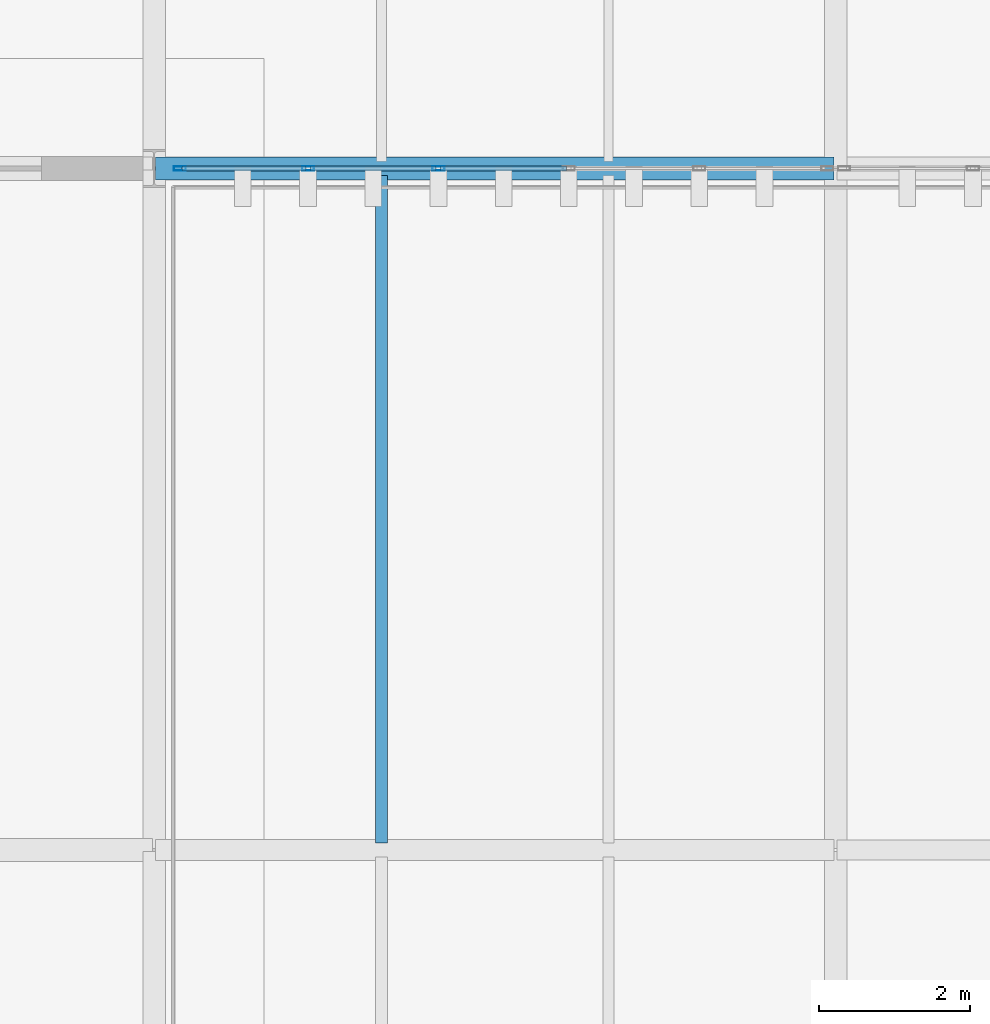
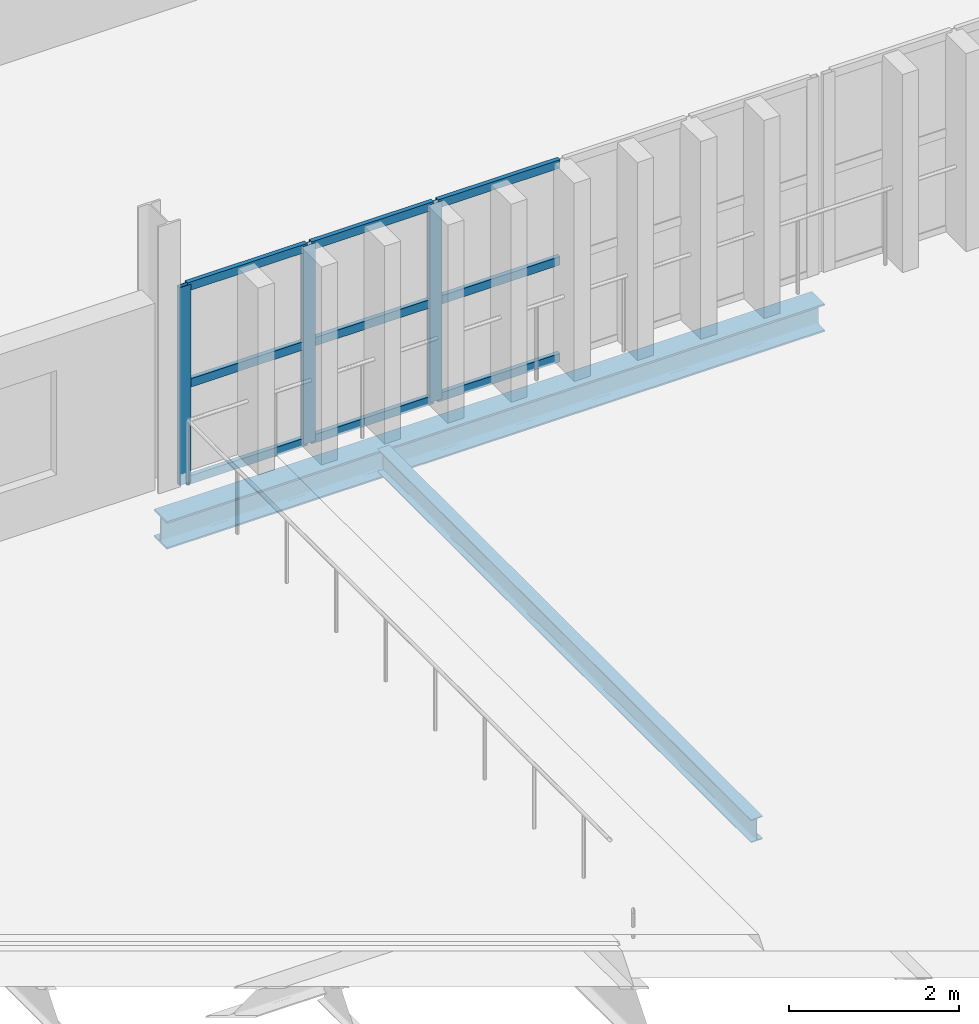
# One storey, part 36 of 102: 12 members, 2 beams, 1 element without a shape of its own.
"""IFC4 building model written with IfcOpenShell, lengths in metres."""

from ifc_helpers import new_model, si_unit, direction, frame, origin, origin_2d, place, context, subcontext, project, spatial, hollow_rectangle, i_section, extrude, material, layer, layer_set, material_profile, profile_set, type_object, element, aggregate, save


model = new_model("IFC4")

# Units and contexts
model_context = context("Model", 3, precision=1e-05, world=origin(), true_north=direction((0.0, 1.0)))
body_context = subcontext(model_context, "Body", "Model", "MODEL_VIEW")
ifc_project = project(units=[si_unit("LENGTHUNIT", "METRE"), si_unit("AREAUNIT", "SQUARE_METRE"), si_unit("VOLUMEUNIT", "CUBIC_METRE"), si_unit("PLANEANGLEUNIT", "RADIAN"), si_unit("MASSUNIT", "GRAM", prefix="KILO")], contexts=[model_context])

# Site, building, storey
site_placement = place(None, origin())
site = spatial("IfcSite", under=ifc_project, at=site_placement, CompositionType="ELEMENT")
building_placement = place(site_placement, origin())
building = spatial("IfcBuilding", under=site, at=building_placement, Name="Barlavento Convention Centre", CompositionType="ELEMENT")
storey_placement = place(building_placement, frame((0.0, 0.0, 22.800048828125)))
storey = spatial("IfcBuildingStorey", under=building, at=storey_placement, Name="L04", CompositionType="ELEMENT", Elevation=22.800048828125)

# Curtain wall, members
ifc_material_1 = material(Name="Powder-coated aluminium and Low-E glass", Category="aluminium")
ifc_layer = layer(ifc_material_1, 0.18505859375)
ifc_layer_set = layer_set([ifc_layer], Name="ARC-CW-CONF-L04")
curtain_wall_type = type_object("IfcCurtainWallType", Name="ARC-CW-CONF-L04", PredefinedType="NOTDEFINED", material=ifc_layer_set)
curtain_wall_placement = place(storey_placement, origin())
curtain_wall = element("IfcCurtainWall", 1, at=curtain_wall_placement, inside=storey, type_object=curtain_wall_type, Name="L04 unitised curtain wall CW09", PredefinedType="NOTDEFINED")
ifc_material_2 = material(Name="Powder-coated aluminium", Category="aluminium")
ifc_material_profile_1 = material_profile(ifc_material_2, hollow_rectangle(XDim=0.06005859375, YDim=0.159912109375, WallThickness=0.00390625, at=origin_2d()), Name="AL-MULL 60x160x4")
ifc_profile_set_1 = profile_set([ifc_material_profile_1], Name="Powder-coated aluminium")
member_type_1 = type_object("IfcMemberType", Name="ARC-CWM-60X160", PredefinedType="MULLION", material=ifc_profile_set_1)
member_1_placement = place(storey_placement, frame((135.340087890625, 54.0, 0.0), z_axis=(0.0, 0.0, 1.0), x_axis=(0.0, 1.0, 0.0)))
member_1 = element("IfcMember", 2, at=member_1_placement, type_object=member_type_1, Name="CW09 mullion 1", PredefinedType="MULLION", context=body_context, shape_type="SweptSolid", body=[
    extrude(hollow_rectangle(XDim=0.06005859375, YDim=0.159912109375, WallThickness=0.00390625, at=origin_2d()), origin(), (0.0, 0.0, 1.0), 2.849853515625),
])
member_2_placement = place(storey_placement, frame((137.031982421875, 54.0, 0.0), z_axis=(0.0, 0.0, 1.0), x_axis=(0.0, 1.0, 0.0)))
member_2 = element("IfcMember", 3, at=member_2_placement, type_object=member_type_1, Name="CW09 mullion 2", PredefinedType="MULLION", context=body_context, shape_type="SweptSolid", body=[
    extrude(hollow_rectangle(XDim=0.06005859375, YDim=0.159912109375, WallThickness=0.00390625, at=origin_2d()), origin(), (0.0, 0.0, 1.0), 2.849853515625),
])
member_3_placement = place(storey_placement, frame((138.75390625, 54.0, 0.0), z_axis=(0.0, 0.0, 1.0), x_axis=(0.0, 1.0, 0.0)))
member_3 = element("IfcMember", 4, at=member_3_placement, type_object=member_type_1, Name="CW09 mullion 3", PredefinedType="MULLION", context=body_context, shape_type="SweptSolid", body=[
    extrude(hollow_rectangle(XDim=0.06005859375, YDim=0.159912109375, WallThickness=0.00390625, at=origin_2d()), origin(), (0.0, 0.0, 1.0), 2.849853515625),
])
ifc_material_profile_2 = material_profile(ifc_material_2, hollow_rectangle(XDim=0.06005859375, YDim=0.1201171875, WallThickness=0.00390625, at=origin_2d()), Name="AL-TRAN 60x120x4")
ifc_profile_set_2 = profile_set([ifc_material_profile_2], Name="Powder-coated aluminium")
member_type_2 = type_object("IfcMemberType", Name="ARC-CWT-60X120", PredefinedType="USERDEFINED", material=ifc_profile_set_2)
member_4_placement = place(storey_placement, frame((135.3701171875, 54.0, 0.030029296875), z_axis=(1.0, 0.0, 0.0), x_axis=(0.0, 1.0, 0.0)))
member_4 = element("IfcMember", 5, at=member_4_placement, type_object=member_type_2, Name="CW09 transom 1.1", ObjectType="TRANSOM", PredefinedType="USERDEFINED", context=body_context, shape_type="SweptSolid", body=[
    extrude(hollow_rectangle(XDim=0.06005859375, YDim=0.1201171875, WallThickness=0.00390625, at=origin_2d()), origin(), (0.0, 0.0, 1.0), 1.6318359375),
])
member_5_placement = place(storey_placement, frame((135.3701171875, 54.0, 1.425048828125), z_axis=(1.0, 0.0, 0.0), x_axis=(0.0, 1.0, 0.0)))
member_5 = element("IfcMember", 6, at=member_5_placement, type_object=member_type_2, Name="CW09 transom 1.2", ObjectType="TRANSOM", PredefinedType="USERDEFINED", context=body_context, shape_type="SweptSolid", body=[
    extrude(hollow_rectangle(XDim=0.06005859375, YDim=0.1201171875, WallThickness=0.00390625, at=origin_2d()), origin(), (0.0, 0.0, 1.0), 1.6318359375),
])
member_6_placement = place(storey_placement, frame((135.3701171875, 54.0, 2.820068359375), z_axis=(1.0, 0.0, 0.0), x_axis=(0.0, 1.0, 0.0)))
member_6 = element("IfcMember", 7, at=member_6_placement, type_object=member_type_2, Name="CW09 transom 1.3", ObjectType="TRANSOM", PredefinedType="USERDEFINED", context=body_context, shape_type="SweptSolid", body=[
    extrude(hollow_rectangle(XDim=0.06005859375, YDim=0.1201171875, WallThickness=0.00390625, at=origin_2d()), origin(), (0.0, 0.0, 1.0), 1.6318359375),
])
member_7_placement = place(storey_placement, frame((137.06201171875, 54.0, 0.030029296875), z_axis=(1.0, 0.0, 0.0), x_axis=(0.0, 1.0, 0.0)))
member_7 = element("IfcMember", 8, at=member_7_placement, type_object=member_type_2, Name="CW09 transom 2.1", ObjectType="TRANSOM", PredefinedType="USERDEFINED", context=body_context, shape_type="SweptSolid", body=[
    extrude(hollow_rectangle(XDim=0.06005859375, YDim=0.1201171875, WallThickness=0.00390625, at=origin_2d()), origin(), (0.0, 0.0, 1.0), 1.662109375),
])
member_8_placement = place(storey_placement, frame((137.06201171875, 54.0, 1.425048828125), z_axis=(1.0, 0.0, 0.0), x_axis=(0.0, 1.0, 0.0)))
member_8 = element("IfcMember", 9, at=member_8_placement, type_object=member_type_2, Name="CW09 transom 2.2", ObjectType="TRANSOM", PredefinedType="USERDEFINED", context=body_context, shape_type="SweptSolid", body=[
    extrude(hollow_rectangle(XDim=0.06005859375, YDim=0.1201171875, WallThickness=0.00390625, at=origin_2d()), origin(), (0.0, 0.0, 1.0), 1.662109375),
])
member_9_placement = place(storey_placement, frame((137.06201171875, 54.0, 2.820068359375), z_axis=(1.0, 0.0, 0.0), x_axis=(0.0, 1.0, 0.0)))
member_9 = element("IfcMember", 10, at=member_9_placement, type_object=member_type_2, Name="CW09 transom 2.3", ObjectType="TRANSOM", PredefinedType="USERDEFINED", context=body_context, shape_type="SweptSolid", body=[
    extrude(hollow_rectangle(XDim=0.06005859375, YDim=0.1201171875, WallThickness=0.00390625, at=origin_2d()), origin(), (0.0, 0.0, 1.0), 1.662109375),
])
member_10_placement = place(storey_placement, frame((138.783935546875, 54.0, 0.030029296875), z_axis=(1.0, 0.0, 0.0), x_axis=(0.0, 1.0, 0.0)))
member_10 = element("IfcMember", 11, at=member_10_placement, type_object=member_type_2, Name="CW09 transom 3.1", ObjectType="TRANSOM", PredefinedType="USERDEFINED", context=body_context, shape_type="SweptSolid", body=[
    extrude(hollow_rectangle(XDim=0.06005859375, YDim=0.1201171875, WallThickness=0.00390625, at=origin_2d()), origin(), (0.0, 0.0, 1.0), 1.662109375),
])
member_11_placement = place(storey_placement, frame((138.783935546875, 54.0, 1.425048828125), z_axis=(1.0, 0.0, 0.0), x_axis=(0.0, 1.0, 0.0)))
member_11 = element("IfcMember", 12, at=member_11_placement, type_object=member_type_2, Name="CW09 transom 3.2", ObjectType="TRANSOM", PredefinedType="USERDEFINED", context=body_context, shape_type="SweptSolid", body=[
    extrude(hollow_rectangle(XDim=0.06005859375, YDim=0.1201171875, WallThickness=0.00390625, at=origin_2d()), origin(), (0.0, 0.0, 1.0), 1.662109375),
])
member_12_placement = place(storey_placement, frame((138.783935546875, 54.0, 2.820068359375), z_axis=(1.0, 0.0, 0.0), x_axis=(0.0, 1.0, 0.0)))
member_12 = element("IfcMember", 13, at=member_12_placement, type_object=member_type_2, Name="CW09 transom 3.3", ObjectType="TRANSOM", PredefinedType="USERDEFINED", context=body_context, shape_type="SweptSolid", body=[
    extrude(hollow_rectangle(XDim=0.06005859375, YDim=0.1201171875, WallThickness=0.00390625, at=origin_2d()), origin(), (0.0, 0.0, 1.0), 1.662109375),
])
aggregate(curtain_wall, [member_1, member_2, member_3, member_4, member_5, member_6, member_7, member_8, member_9, member_10, member_11, member_12])

# Beams
ifc_material_3 = material(Name="Steel S355", Category="steel")
ifc_material_profile_3 = material_profile(ifc_material_3, i_section(OverallWidth=0.159912109375, OverallDepth=0.330078125, WebThickness=0.007568359375, FlangeThickness=0.011474609375, FilletRadius=0.01806640625, at=origin_2d()), Name="IPE 330")
ifc_profile_set_3 = profile_set([ifc_material_profile_3], Name="Steel S355")
beam_type_1 = type_object("IfcBeamType", Name="STR-BM-JST-IPE330", PredefinedType="JOIST", material=ifc_profile_set_3)
beam_1_placement = place(storey_placement, frame((138.0, 45.094970703125, -0.525146484375), z_axis=(0.0, 1.0, 0.0), x_axis=(-1.0, 0.0, 0.0)))
element("IfcBeam", 14, at=beam_1_placement, inside=storey, type_object=beam_type_1, Name="L04 composite floor joist SJ06", PredefinedType="JOIST", context=body_context, shape_type="SweptSolid", body=[
    extrude(i_section(OverallWidth=0.159912109375, OverallDepth=0.330078125, WebThickness=0.007568359375, FlangeThickness=0.011474609375, FilletRadius=0.01806640625, at=origin_2d()), origin(), (0.0, 0.0, 1.0), 8.81005859375),
])
ifc_material_profile_4 = material_profile(ifc_material_3, i_section(OverallWidth=0.300048828125, OverallDepth=0.39990234375, WebThickness=0.013427734375, FlangeThickness=0.02392578125, FilletRadius=0.027099609375, at=origin_2d()), Name="HEB 400")
ifc_profile_set_4 = profile_set([ifc_material_profile_4], Name="Steel S355")
beam_type_2 = type_object("IfcBeamType", Name="STR-BM-PRI-HEB400", PredefinedType="BEAM", material=ifc_profile_set_4)
beam_2_placement = place(storey_placement, frame((135.02001953125, 54.0, -0.56005859375), z_axis=(1.0, 0.0, 0.0), x_axis=(0.0, 1.0, 0.0)))
element("IfcBeam", 15, at=beam_2_placement, inside=storey, type_object=beam_type_2, Name="L04 primary girder BG11", PredefinedType="BEAM", context=body_context, shape_type="SweptSolid", body=[
    extrude(i_section(OverallWidth=0.300048828125, OverallDepth=0.39990234375, WebThickness=0.013427734375, FlangeThickness=0.02392578125, FilletRadius=0.027099609375, at=origin_2d()), origin(), (0.0, 0.0, 1.0), 8.9599609375),
])

save(model, "model.ifc")
